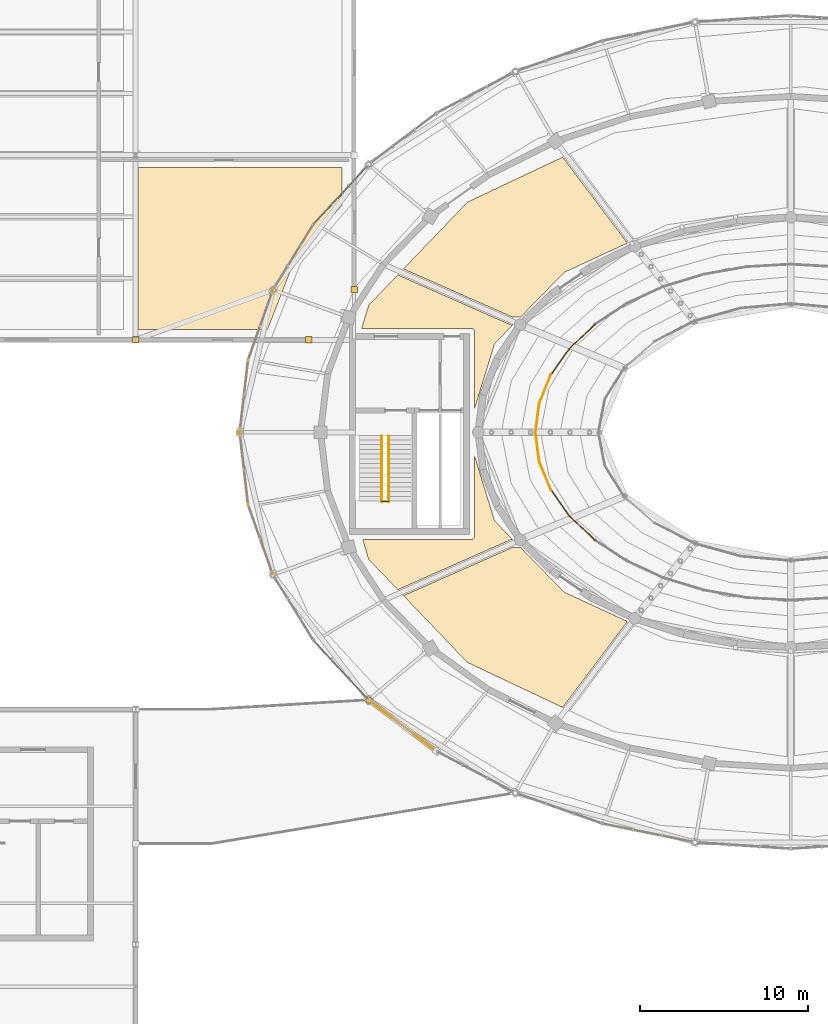
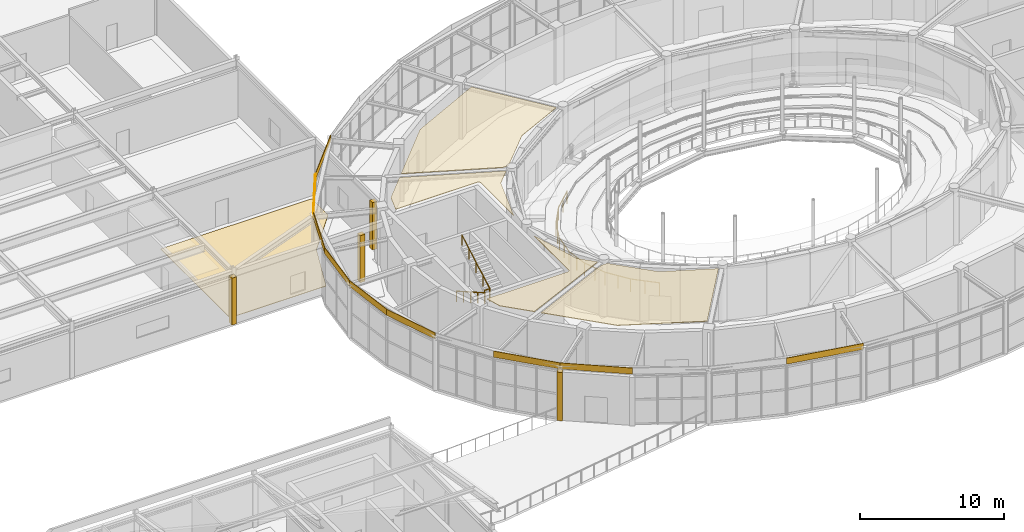
# One storey, part 99 of 108: 18 coverings, 11 railings.
"""IFC4 building model written with IfcOpenShell, lengths in metres."""

from ifc_helpers import new_model, si_unit, direction, frame, frame_2d, origin, origin_2d, place, context, subcontext, project, spatial, polyline, rectangle, circle, outline, extrude, material, layer, layer_set, type_object, element, save


model = new_model("IFC4")

# Units and contexts
model_context = context("Model", 3, precision=1e-05, world=origin(), true_north=direction((0.0, 1.0)))
body_context = subcontext(model_context, "Body", "Model", "MODEL_VIEW")
ifc_project = project(units=[si_unit("LENGTHUNIT", "METRE"), si_unit("AREAUNIT", "SQUARE_METRE"), si_unit("VOLUMEUNIT", "CUBIC_METRE"), si_unit("PLANEANGLEUNIT", "RADIAN"), si_unit("MASSUNIT", "GRAM", prefix="KILO")], contexts=[model_context])

# Site, building, storey
site_placement = place(None, origin())
site = spatial("IfcSite", under=ifc_project, at=site_placement, CompositionType="ELEMENT")
building_placement = place(site_placement, origin())
building = spatial("IfcBuilding", under=site, at=building_placement, Name="Tarnveldt Headland Concert Hall", CompositionType="ELEMENT")
storey_placement = place(building_placement, frame((0.0, 0.0, 9.60009765625)))
storey = spatial("IfcBuildingStorey", under=building, at=storey_placement, Name="L02", CompositionType="ELEMENT", Elevation=9.60009765625)

# Coverings
ifc_material_1 = material(Name="Micro-perforated mvule acoustic ceiling panel", Category="timber")
ifc_layer_1 = layer(ifc_material_1, 0.050048828125, Name="Micro-perforated mvule acoustic ceiling panel", Category="timber")
ifc_layer_set_1 = layer_set([ifc_layer_1], Name="Micro-perforated mvule acoustic ceiling panel")
covering_type_1 = type_object("IfcCoveringType", Name="CV-CEIL50", PredefinedType="CEILING", material=ifc_layer_set_1)
covering_1_placement = place(storey_placement, frame((0.0, 0.0, 4.5)))
element("IfcCovering", 1, at=covering_1_placement, inside=storey, type_object=covering_type_1, Name="Acoustic mvule ceiling L02-09-245", PredefinedType="CEILING", context=body_context, shape_type="SweptSolid", body=[
    extrude(outline(polyline([(58.01220703125, 48.1201171875), (64.5, 48.1201171875), (64.517578125, 48.120849609375), (64.53515625, 48.12353515625), (64.55224609375, 48.127685546875), (64.56884765625, 48.1337890625), (64.5849609375, 48.141357421875), (64.60009765625, 48.150390625), (64.6142578125, 48.160888671875), (64.627197265625, 48.172607421875), (64.63916015625, 48.185791015625), (64.649658203125, 48.199951171875), (64.65869140625, 48.215087890625), (64.666259765625, 48.231201171875), (64.672119140625, 48.247802734375), (64.676513671875, 48.264892578125), (64.67919921875, 48.282470703125), (64.679931640625, 48.300048828125), (64.679931640625, 53.08154296875), (65.8544921875, 49.262939453125), (65.8603515625, 49.246826171875), (65.86767578125, 49.2314453125), (65.87646484375, 49.216796875), (65.886474609375, 49.202880859375), (65.89794921875, 49.190185546875), (66.92138671875, 48.143310546875), (60.10107421875, 45.127197265625), (58.369384765625, 46.934814453125), (58.01220703125, 48.1201171875)])), origin(), (0.0, 0.0, 1.0), 0.0498046875),
])
covering_2_placement = place(storey_placement, frame((0.0, 0.0, 4.5)))
element("IfcCovering", 2, at=covering_2_placement, inside=storey, type_object=covering_type_1, Name="Acoustic mvule ceiling L02-09-246", PredefinedType="CEILING", context=body_context, shape_type="SweptSolid", body=[
    extrude(outline(polyline([(70.048095703125, 44.96240234375), (73.75, 43.247802734375), (73.75, 43.2001953125), (69.919677734375, 38.118408203125), (64.24658203125, 40.7998046875), (60.439697265625, 44.77392578125), (66.943115234375, 47.64990234375), (67.40380859375, 47.64990234375), (69.9951171875, 44.999755859375), (70.0068359375, 44.988525390625), (70.019775390625, 44.978515625), (70.03369140625, 44.9697265625), (70.048095703125, 44.96240234375)])), origin(), (0.0, 0.0, 1.0), 0.0498046875),
])
covering_3_placement = place(storey_placement, frame((0.0, 0.0, 4.5)))
element("IfcCovering", 3, at=covering_3_placement, inside=storey, type_object=covering_type_1, Name="Acoustic mvule ceiling L02-10-254", PredefinedType="CEILING", context=body_context, shape_type="SweptSolid", body=[
    extrude(outline(polyline([(70.03369140625, 64.0302734375), (70.019775390625, 64.021484375), (70.0068359375, 64.011474609375), (69.9951171875, 64.000244140625), (67.40380859375, 61.35009765625), (66.943115234375, 61.35009765625), (60.439697265625, 64.22607421875), (64.24658203125, 68.2001953125), (69.919677734375, 70.881591796875), (73.75, 65.7998046875), (73.75, 65.752197265625), (70.048095703125, 64.03759765625), (70.03369140625, 64.0302734375)])), origin(), (0.0, 0.0, 1.0), 0.0498046875),
])
covering_4_placement = place(storey_placement, frame((0.0, 0.0, 4.5)))
element("IfcCovering", 4, at=covering_4_placement, inside=storey, type_object=covering_type_1, Name="Acoustic mvule ceiling L02-10-255", PredefinedType="CEILING", context=body_context, shape_type="SweptSolid", body=[
    extrude(outline(polyline([(65.886474609375, 59.797119140625), (65.87646484375, 59.783203125), (65.86767578125, 59.7685546875), (65.8603515625, 59.753173828125), (65.8544921875, 59.737060546875), (64.679931640625, 55.91845703125), (64.679931640625, 60.5), (64.67919921875, 60.517578125), (64.676513671875, 60.53515625), (64.672119140625, 60.55224609375), (64.666259765625, 60.56884765625), (64.65869140625, 60.5849609375), (64.649658203125, 60.60009765625), (64.63916015625, 60.6142578125), (64.627197265625, 60.627197265625), (64.6142578125, 60.63916015625), (64.60009765625, 60.649658203125), (64.5849609375, 60.65869140625), (64.56884765625, 60.666259765625), (64.55224609375, 60.672119140625), (64.53515625, 60.676513671875), (64.517578125, 60.67919921875), (64.5, 60.679931640625), (57.951904296875, 60.679931640625), (58.369384765625, 62.065185546875), (60.10107421875, 63.872802734375), (66.92138671875, 60.856689453125), (65.89794921875, 59.809814453125), (65.886474609375, 59.797119140625)])), origin(), (0.0, 0.0, 1.0), 0.0498046875),
])
ifc_material_2 = material(Name="Treated East African mvule hardwood", Category="wood")
ifc_layer_2 = layer(ifc_material_2, 0.044921875, Name="Treated East African mvule hardwood", Category="wood")
ifc_layer_set_2 = layer_set([ifc_layer_2], Name="Treated East African mvule hardwood")
covering_type_2 = type_object("IfcCoveringType", Name="CV-CLAD45", PredefinedType="CLADDING", material=ifc_layer_set_2)
covering_5_placement = place(storey_placement, frame((58.373779296875, 70.441162109375, 4.27001953125), z_axis=(0.0, 0.0, 1.0), x_axis=(-0.67944736966, -0.733724247835, 0.0)))
element("IfcCovering", 5, at=covering_5_placement, inside=storey, type_object=covering_type_2, Name="Mvule hardwood fascia band L02-15", PredefinedType="CLADDING", context=body_context, shape_type="SweptSolid", body=[
    extrude(rectangle(XDim=4.826416015625, YDim=0.044921875, at=frame_2d((2.4130859375, 0.0))), origin(), (0.0, 0.0, 1.0), 0.519775390625),
])
covering_6_placement = place(storey_placement, frame((55.094482421875, 66.89990234375, 4.27001953125), z_axis=(0.0, 0.0, 1.0), x_axis=(-0.524979001727, -0.851115178895, 0.0)))
element("IfcCovering", 6, at=covering_6_placement, inside=storey, type_object=covering_type_2, Name="Mvule hardwood fascia band L02-16", PredefinedType="CLADDING", context=body_context, shape_type="SweptSolid", body=[
    extrude(rectangle(XDim=4.60302734375, YDim=0.044921875, at=frame_2d((2.301513671875, 0.0))), origin(), (0.0, 0.0, 1.0), 0.519775390625),
])
covering_7_placement = place(storey_placement, frame((52.677978515625, 62.982177734375, 4.27001953125), z_axis=(0.0, 0.0, 1.0), x_axis=(-0.334010357608, -0.942569403816, 0.0)))
element("IfcCovering", 7, at=covering_7_placement, inside=storey, type_object=covering_type_2, Name="Mvule hardwood fascia band L02-17", PredefinedType="CLADDING", context=body_context, shape_type="SweptSolid", body=[
    extrude(rectangle(XDim=4.43017578125, YDim=0.044921875, at=frame_2d((2.215087890625, 0.0))), origin(), (0.0, 0.0, 1.0), 0.519775390625),
])
for number, where, z_axis, x_axis, name in (
    (8, (51.1982421875, 58.806396484375, 4.27001953125), (0.0, 0.0, 1.0), (-0.11494260035, -0.993372135015, 0.0), "Mvule hardwood fascia band L02-18"),
    (9, (50.699951171875, 54.5, 4.27001953125), (0.0, 0.0, 1.0), (0.11494260035, -0.993372135015, 0.0), "Mvule hardwood fascia band L02-19"),
):
    element("IfcCovering", number, at=place(storey_placement, frame(where, z_axis=z_axis, x_axis=x_axis)), inside=storey, type_object=covering_type_2, Name=name, PredefinedType="CLADDING", context=body_context, shape_type="SweptSolid", body=[
        extrude(rectangle(XDim=4.335205078125, YDim=0.044921875, at=frame_2d((2.16748046875, 0.0))), origin(), (0.0, 0.0, 1.0), 0.519775390625),
    ])
covering_8_placement = place(storey_placement, frame((51.1982421875, 50.193603515625, 4.27001953125), z_axis=(0.0, 0.0, 1.0), x_axis=(0.334010357608, -0.942569403816, 0.0)))
element("IfcCovering", 10, at=covering_8_placement, inside=storey, type_object=covering_type_2, Name="Mvule hardwood fascia band L02-20", PredefinedType="CLADDING", context=body_context, shape_type="SweptSolid", body=[
    extrude(rectangle(XDim=4.43017578125, YDim=0.044921875, at=frame_2d((2.215087890625, 0.0))), origin(), (0.0, 0.0, 1.0), 0.519775390625),
])
covering_9_placement = place(storey_placement, frame((55.094482421875, 42.10009765625, 4.27001953125), z_axis=(0.0, 0.0, 1.0), x_axis=(0.67944736966, -0.733724247835, 0.0)))
element("IfcCovering", 11, at=covering_9_placement, inside=storey, type_object=covering_type_2, Name="Mvule hardwood fascia band L02-22", PredefinedType="CLADDING", context=body_context, shape_type="SweptSolid", body=[
    extrude(rectangle(XDim=4.826416015625, YDim=0.044921875, at=frame_2d((2.4130859375, 0.0))), origin(), (0.0, 0.0, 1.0), 0.519775390625),
])
covering_10_placement = place(storey_placement, frame((58.373779296875, 38.558837890625, 4.27001953125), z_axis=(0.0, 0.0, 1.0), x_axis=(0.797664418204, -0.603101546948, 0.0)))
element("IfcCovering", 12, at=covering_10_placement, inside=storey, type_object=covering_type_2, Name="Mvule hardwood fascia band L02-23", PredefinedType="CLADDING", context=body_context, shape_type="SweptSolid", body=[
    extrude(rectangle(XDim=5.068115234375, YDim=0.044921875, at=frame_2d((2.5341796875, 0.0))), origin(), (0.0, 0.0, 1.0), 0.519775390625),
])
covering_11_placement = place(storey_placement, frame((72.28173828125, 31.195556640625, 4.27001953125), z_axis=(0.0, 0.0, 1.0), x_axis=(0.980094417088, -0.198531946026, 0.0)))
element("IfcCovering", 13, at=covering_11_placement, inside=storey, type_object=covering_type_2, Name="Mvule hardwood fascia band L02-26", PredefinedType="CLADDING", context=body_context, shape_type="SweptSolid", body=[
    extrude(rectangle(XDim=5.634521484375, YDim=0.044921875, at=frame_2d((2.8173828125, 0.0))), origin(), (0.0, 0.0, 1.0), 0.519775390625),
])
ifc_material_3 = material(Name="Polished coral-aggregate cementitious terrazzo flooring", Category="concrete")
ifc_layer_3 = layer(ifc_material_3, 0.034912109375, Name="Polished coral-aggregate cementitious terrazzo flooring", Category="concrete")
ifc_layer_set_3 = layer_set([ifc_layer_3], Name="Polished coral-aggregate cementitious terrazzo flooring")
covering_type_3 = type_object("IfcCoveringType", Name="CV-FLOR35", PredefinedType="FLOORING", material=ifc_layer_set_3)
covering_12_placement = place(storey_placement, origin())
element("IfcCovering", 14, at=covering_12_placement, inside=storey, type_object=covering_type_3, Name="Architectural flooring L02-22-80", PredefinedType="FLOORING", context=body_context, shape_type="SweptSolid", body=[
    extrude(outline(polyline([(56.77001953125, 70.27001953125), (56.77001953125, 68.013916015625), (53.98876953125, 64.798095703125), (53.98095703125, 64.788330078125), (53.978271484375, 64.784912109375), (53.968994140625, 64.77099609375), (53.966552734375, 64.76708984375), (53.955810546875, 64.7470703125), (53.953857421875, 64.742919921875), (53.9501953125, 64.734130859375), (52.349853515625, 60.6298828125), (44.6298828125, 60.6298828125), (44.6298828125, 70.27001953125), (56.77001953125, 70.27001953125)])), origin(), (0.0, 0.0, 1.0), 0.034912109375),
])
ifc_material_4 = material(Name="Coral-toned precast concrete C40/50", Category="concrete")
ifc_layer_4 = layer(ifc_material_4, 0.360107421875, Name="Coral-toned precast concrete C40/50", Category="concrete")
ifc_layer_set_4 = layer_set([ifc_layer_4], Name="Coral-toned precast concrete C40/50")
covering_type_4 = type_object("IfcCoveringType", Name="CV-JNT360", PredefinedType="CLADDING", material=ifc_layer_set_4)
for number, where, z_axis, x_axis, name in (
    (15, (44.5, 60.0, 0.0), (0.0, 0.0, 1.0), (-1.0, 0.0, 0.0), "Precast facade joint closure pilaster L02-272"),
    (16, (54.800048828125, 60.0, 0.0), (0.0, 0.0, 1.0), (-1.0, 0.0, 0.0), "Precast facade joint closure pilaster L02-274"),
):
    element("IfcCovering", number, at=place(storey_placement, frame(where, z_axis=z_axis, x_axis=x_axis)), inside=storey, type_object=covering_type_4, Name=name, PredefinedType="CLADDING", context=body_context, shape_type="SweptSolid", body=[
        extrude(rectangle(XDim=0.3798828125, YDim=0.3798828125, at=origin_2d()), origin(), (0.0, 0.0, 1.0), 3.988037109375),
    ])
covering_13_placement = place(storey_placement, frame((57.5, 63.0, 0.0), z_axis=(0.0, 0.0, 1.0), x_axis=(0.0, -1.0, 0.0)))
element("IfcCovering", 17, at=covering_13_placement, inside=storey, type_object=covering_type_4, Name="Precast facade joint closure pilaster L02-275", PredefinedType="CLADDING", context=body_context, shape_type="SweptSolid", body=[
    extrude(rectangle(XDim=0.3798828125, YDim=0.3798828125, at=origin_2d()), origin(), (0.0, 0.0, 1.0), 4.028076171875),
])
covering_14_placement = place(storey_placement, frame((58.373779296875, 38.558837890625, 0.0), z_axis=(0.0, 0.0, 1.0), x_axis=(-0.797689196331, 0.603068773902, 0.0)))
element("IfcCovering", 18, at=covering_14_placement, inside=storey, type_object=covering_type_4, Name="Precast facade joint closure pilaster L02-281", PredefinedType="CLADDING", context=body_context, shape_type="SweptSolid", body=[
    extrude(rectangle(XDim=0.3798828125, YDim=0.3798828125, at=origin_2d()), origin(), (0.0, 0.0, 1.0), 4.10791015625),
])

# Railings
ifc_material_5 = material(Name="Marine stainless steel", Category="steel")
ifc_layer_5 = layer(ifc_material_5, 0.06005859375, Name="Marine stainless steel", Category="steel")
ifc_layer_set_5 = layer_set([ifc_layer_5], Name="Marine stainless steel")
railing_type_1 = type_object("IfcRailingType", Name="RL-GRD110", PredefinedType="GUARDRAIL", material=ifc_layer_set_5)
railing_1_placement = place(storey_placement, frame((59.14990234375, 50.39990234375, 2.39990234375)))
element("IfcRailing", 19, at=railing_1_placement, inside=storey, type_object=railing_type_1, Name="GUARD STR-C1-L02 half-landing well", PredefinedType="GUARDRAIL", context=body_context, shape_type="SweptSolid", body=[
    extrude(circle(Radius=0.02392578125, at=origin_2d()), frame((0.0, 0.0, 1.076171875), z_axis=(1.0, 0.0, 0.0), x_axis=(0.0, 1.0, 0.0)), (0.0, 0.0, 1.0), 0.420166015625),
    extrude(circle(Radius=0.02099609375, at=origin_2d()), origin(), (0.0, 0.0, 1.0), 1.052001953125),
    extrude(circle(Radius=0.02099609375, at=origin_2d()), frame((0.420166015625, 0.0, 0.0)), (0.0, 0.0, 1.0), 1.052001953125),
])
railing_2_placement = place(storey_placement, frame((71.856201171875, 60.927978515625, 0.0)))
element("IfcRailing", 20, at=railing_2_placement, inside=storey, type_object=railing_type_1, Name="GUARD Auditorium void guardrail L02 15", PredefinedType="GUARDRAIL", context=body_context, shape_type="SweptSolid", body=[
    extrude(circle(Radius=0.02392578125, at=origin_2d()), frame((0.0, 0.0, 1.076171875), z_axis=(-0.728773712747, -0.684754609776, 0.0), x_axis=(0.684754609776, -0.728773712747, 0.0)), (0.0, 0.0, 1.0), 2.08544921875),
    extrude(circle(Radius=0.02099609375, at=origin_2d()), origin(), (0.0, 0.0, 1.0), 1.052001953125),
    extrude(circle(Radius=0.02099609375, at=origin_2d()), frame((-0.759765625, -0.7138671875, 0.0)), (0.0, 0.0, 1.0), 1.052001953125),
    extrude(circle(Radius=0.02099609375, at=origin_2d()), frame((-1.519775390625, -1.427978515625, 0.0)), (0.0, 0.0, 1.0), 1.052001953125),
])
railing_3_placement = place(storey_placement, frame((70.33642578125, 59.5, 0.0)))
element("IfcRailing", 21, at=railing_3_placement, inside=storey, type_object=railing_type_1, Name="GUARD Auditorium void guardrail L02 16", PredefinedType="GUARDRAIL", context=body_context, shape_type="SweptSolid", body=[
    extrude(circle(Radius=0.02392578125, at=origin_2d()), frame((0.0, 0.0, 1.076171875), z_axis=(-0.578216724182, -0.815883214606, 0.0), x_axis=(0.815883214606, -0.578216724182, 0.0)), (0.0, 0.0, 1.0), 1.936279296875),
    extrude(circle(Radius=0.02099609375, at=origin_2d()), origin(), (0.0, 0.0, 1.0), 1.052001953125),
    extrude(circle(Radius=0.02099609375, at=origin_2d()), frame((-0.559814453125, -0.7900390625, 0.0)), (0.0, 0.0, 1.0), 1.052001953125),
    extrude(circle(Radius=0.02099609375, at=origin_2d()), frame((-1.11962890625, -1.579833984375, 0.0)), (0.0, 0.0, 1.0), 1.052001953125),
])
railing_4_placement = place(storey_placement, frame((69.216796875, 57.920166015625, 0.0)))
element("IfcRailing", 22, at=railing_4_placement, inside=storey, type_object=railing_type_1, Name="GUARD Auditorium void guardrail L02 17", PredefinedType="GUARDRAIL", context=body_context, shape_type="SweptSolid", body=[
    extrude(circle(Radius=0.02392578125, at=origin_2d()), frame((0.0, 0.0, 1.076171875), z_axis=(-0.377241429706, -0.926114951674, 0.0), x_axis=(0.926114951674, -0.377241429706, 0.0)), (0.0, 0.0, 1.0), 1.81787109375),
    extrude(circle(Radius=0.02099609375, at=origin_2d()), origin(), (0.0, 0.0, 1.0), 1.052001953125),
    extrude(circle(Radius=0.02099609375, at=origin_2d()), frame((-0.3427734375, -0.841796875, 0.0)), (0.0, 0.0, 1.0), 1.052001953125),
    extrude(circle(Radius=0.02099609375, at=origin_2d()), frame((-0.685791015625, -1.68359375, 0.0)), (0.0, 0.0, 1.0), 1.052001953125),
])
railing_5_placement = place(storey_placement, frame((68.531005859375, 56.236572265625, 0.0)))
element("IfcRailing", 23, at=railing_5_placement, inside=storey, type_object=railing_type_1, Name="GUARD Auditorium void guardrail L02 18", PredefinedType="GUARDRAIL", context=body_context, shape_type="SweptSolid", body=[
    extrude(circle(Radius=0.02392578125, at=origin_2d()), frame((0.0, 0.0, 1.076171875), z_axis=(-0.131835089673, -0.991271662629, 0.0), x_axis=(0.991271662629, -0.131835089673, 0.0)), (0.0, 0.0, 1.0), 1.751953125),
    extrude(circle(Radius=0.02099609375, at=origin_2d()), origin(), (0.0, 0.0, 1.0), 1.052001953125),
    extrude(circle(Radius=0.02099609375, at=origin_2d()), frame((-0.115478515625, -0.8681640625, 0.0)), (0.0, 0.0, 1.0), 1.052001953125),
    extrude(circle(Radius=0.02099609375, at=origin_2d()), frame((-0.23095703125, -1.736572265625, 0.0)), (0.0, 0.0, 1.0), 1.052001953125),
])
railing_6_placement = place(storey_placement, frame((68.300048828125, 54.5, 0.0)))
element("IfcRailing", 24, at=railing_6_placement, inside=storey, type_object=railing_type_1, Name="GUARD Auditorium void guardrail L02 19", PredefinedType="GUARDRAIL", context=body_context, shape_type="SweptSolid", body=[
    extrude(circle(Radius=0.02392578125, at=origin_2d()), frame((0.0, 0.0, 1.076171875), z_axis=(0.131835089673, -0.991271662629, 0.0), x_axis=(0.991271662629, 0.131835089673, 0.0)), (0.0, 0.0, 1.0), 1.751953125),
    extrude(circle(Radius=0.02099609375, at=origin_2d()), origin(), (0.0, 0.0, 1.0), 1.052001953125),
    extrude(circle(Radius=0.02099609375, at=origin_2d()), frame((0.115478515625, -0.8681640625, 0.0)), (0.0, 0.0, 1.0), 1.052001953125),
    extrude(circle(Radius=0.02099609375, at=origin_2d()), frame((0.23095703125, -1.736572265625, 0.0)), (0.0, 0.0, 1.0), 1.052001953125),
])
railing_7_placement = place(storey_placement, frame((68.531005859375, 52.763427734375, 0.0)))
element("IfcRailing", 25, at=railing_7_placement, inside=storey, type_object=railing_type_1, Name="GUARD Auditorium void guardrail L02 20", PredefinedType="GUARDRAIL", context=body_context, shape_type="SweptSolid", body=[
    extrude(circle(Radius=0.02392578125, at=origin_2d()), frame((0.0, 0.0, 1.076171875), z_axis=(0.377241429706, -0.926114951674, 0.0), x_axis=(0.926114951674, 0.377241429706, 0.0)), (0.0, 0.0, 1.0), 1.81787109375),
    extrude(circle(Radius=0.02099609375, at=origin_2d()), origin(), (0.0, 0.0, 1.0), 1.052001953125),
    extrude(circle(Radius=0.02099609375, at=origin_2d()), frame((0.3427734375, -0.841796875, 0.0)), (0.0, 0.0, 1.0), 1.052001953125),
    extrude(circle(Radius=0.02099609375, at=origin_2d()), frame((0.685791015625, -1.68359375, 0.0)), (0.0, 0.0, 1.0), 1.052001953125),
])
railing_8_placement = place(storey_placement, frame((69.216796875, 51.079833984375, 0.0)))
element("IfcRailing", 26, at=railing_8_placement, inside=storey, type_object=railing_type_1, Name="GUARD Auditorium void guardrail L02 21", PredefinedType="GUARDRAIL", context=body_context, shape_type="SweptSolid", body=[
    extrude(circle(Radius=0.02392578125, at=origin_2d()), frame((0.0, 0.0, 1.076171875), z_axis=(0.578216724182, -0.815883214606, 0.0), x_axis=(0.815883214606, 0.578216724182, 0.0)), (0.0, 0.0, 1.0), 1.936279296875),
    extrude(circle(Radius=0.02099609375, at=origin_2d()), origin(), (0.0, 0.0, 1.0), 1.052001953125),
    extrude(circle(Radius=0.02099609375, at=origin_2d()), frame((0.559814453125, -0.7900390625, 0.0)), (0.0, 0.0, 1.0), 1.052001953125),
    extrude(circle(Radius=0.02099609375, at=origin_2d()), frame((1.11962890625, -1.579833984375, 0.0)), (0.0, 0.0, 1.0), 1.052001953125),
])
railing_9_placement = place(storey_placement, frame((70.33642578125, 49.5, 0.0)))
element("IfcRailing", 27, at=railing_9_placement, inside=storey, type_object=railing_type_1, Name="GUARD Auditorium void guardrail L02 22", PredefinedType="GUARDRAIL", context=body_context, shape_type="SweptSolid", body=[
    extrude(circle(Radius=0.02392578125, at=origin_2d()), frame((0.0, 0.0, 1.076171875), z_axis=(0.728773712747, -0.684754609776, 0.0), x_axis=(0.684754609776, 0.728773712747, 0.0)), (0.0, 0.0, 1.0), 2.08544921875),
    extrude(circle(Radius=0.02099609375, at=origin_2d()), origin(), (0.0, 0.0, 1.0), 1.052001953125),
    extrude(circle(Radius=0.02099609375, at=origin_2d()), frame((0.759765625, -0.7138671875, 0.0)), (0.0, 0.0, 1.0), 1.052001953125),
    extrude(circle(Radius=0.02099609375, at=origin_2d()), frame((1.519775390625, -1.427978515625, 0.0)), (0.0, 0.0, 1.0), 1.052001953125),
])
ifc_layer_6 = layer(ifc_material_5, 0.048095703125, Name="Marine stainless steel", Category="steel")
ifc_layer_set_6 = layer_set([ifc_layer_6], Name="Marine stainless steel")
railing_type_2 = type_object("IfcRailingType", Name="RL-HND092", PredefinedType="HANDRAIL", material=ifc_layer_set_6)
railing_10_placement = place(storey_placement, frame((59.14990234375, 54.280029296875, 0.159912109375)))
element("IfcRailing", 28, at=railing_10_placement, inside=storey, type_object=railing_type_2, Name="HANDRAIL STR-C1-L02 flight 1", PredefinedType="HANDRAIL", context=body_context, shape_type="SweptSolid", body=[
    extrude(circle(Radius=0.02392578125, at=origin_2d()), frame((0.0, 0.0, 0.89599609375), z_axis=(0.0, -0.868239814368, 0.496144761885), x_axis=(1.0, 0.0, 0.0)), (0.0, 0.0, 1.0), 4.514892578125),
    extrude(circle(Radius=0.02099609375, at=origin_2d()), origin(), (0.0, 0.0, 1.0), 0.871826171875),
    extrude(circle(Radius=0.02099609375, at=origin_2d()), frame((0.0, -0.97998046875, 0.56005859375)), (0.0, 0.0, 1.0), 0.871826171875),
    extrude(circle(Radius=0.02099609375, at=origin_2d()), frame((0.0, -1.9599609375, 1.1201171875)), (0.0, 0.0, 1.0), 0.871826171875),
    extrude(circle(Radius=0.02099609375, at=origin_2d()), frame((0.0, -2.93994140625, 1.679931640625)), (0.0, 0.0, 1.0), 0.871826171875),
    extrude(circle(Radius=0.02099609375, at=origin_2d()), frame((0.0, -3.919921875, 2.239990234375)), (0.0, 0.0, 1.0), 0.871826171875),
])
railing_11_placement = place(storey_placement, frame((59.570068359375, 50.360107421875, 2.559814453125)))
element("IfcRailing", 29, at=railing_11_placement, inside=storey, type_object=railing_type_2, Name="HANDRAIL STR-C1-L02 flight 2", PredefinedType="HANDRAIL", context=body_context, shape_type="SweptSolid", body=[
    extrude(circle(Radius=0.02392578125, at=origin_2d()), frame((0.0, 0.0, 0.89599609375), z_axis=(0.0, 0.868239814368, 0.496144761885), x_axis=(-1.0, 0.0, 0.0)), (0.0, 0.0, 1.0), 4.514892578125),
    extrude(circle(Radius=0.02099609375, at=origin_2d()), origin(), (0.0, 0.0, 1.0), 0.871826171875),
    extrude(circle(Radius=0.02099609375, at=origin_2d()), frame((0.0, 0.97998046875, 0.56005859375)), (0.0, 0.0, 1.0), 0.871826171875),
    extrude(circle(Radius=0.02099609375, at=origin_2d()), frame((0.0, 1.9599609375, 1.1201171875)), (0.0, 0.0, 1.0), 0.871826171875),
    extrude(circle(Radius=0.02099609375, at=origin_2d()), frame((0.0, 2.93994140625, 1.679931640625)), (0.0, 0.0, 1.0), 0.871826171875),
    extrude(circle(Radius=0.02099609375, at=origin_2d()), frame((0.0, 3.919921875, 2.239990234375)), (0.0, 0.0, 1.0), 0.871826171875),
])

save(model, "model.ifc")
